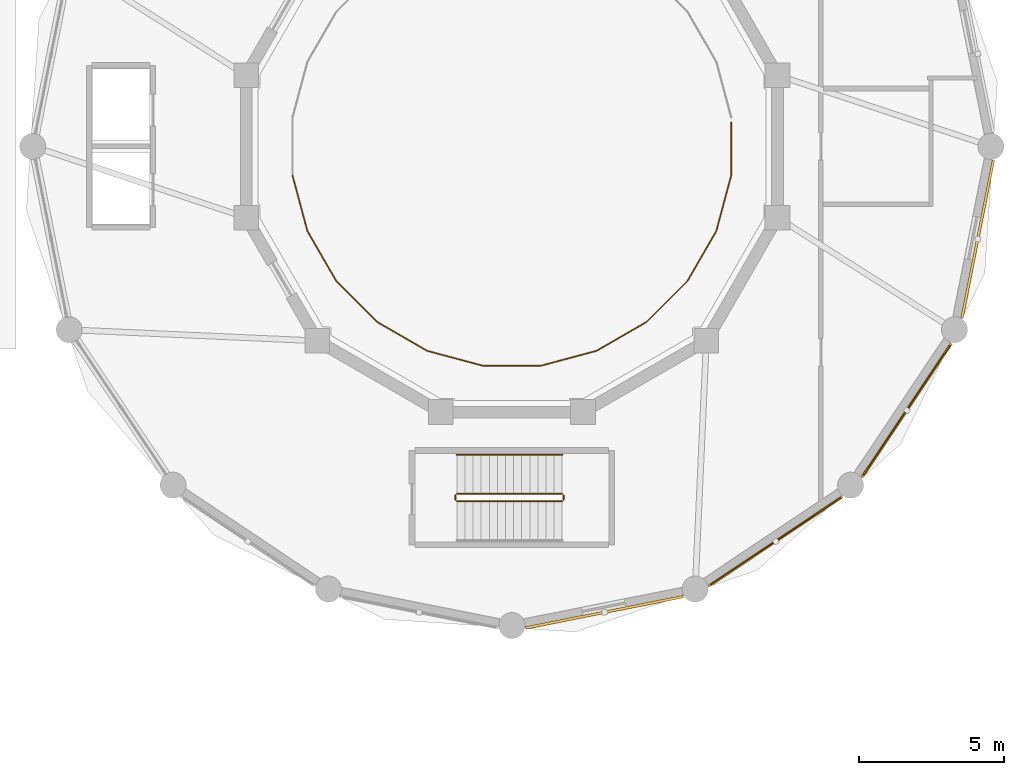
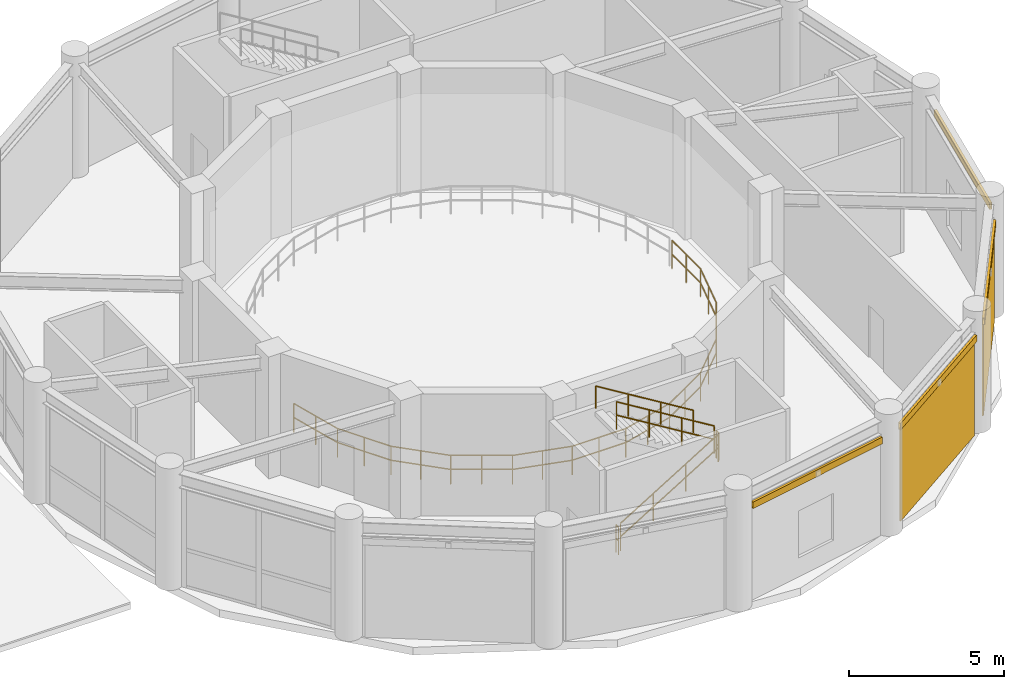
# One storey, part 31 of 34: 6 railings, 4 shading devices, 2 coverings.
"""IFC4 building model written with IfcOpenShell, lengths in metres."""

from ifc_helpers import new_model, si_unit, derived_unit, direction, frame, origin, origin_2d, place, context, subcontext, project, spatial, polyline, hollow_rectangle, circle, outline, extrude, source, transform, mapped, material, layer, layer_set, material_profile, profile_set, type_object, element, save


model = new_model("IFC4")

# Units and contexts
model_context = context("Model", 3, precision=1e-05, world=origin(), true_north=direction((0.0, 1.0)))
body_context = subcontext(model_context, "Body", "Model", "MODEL_VIEW")
ifc_project = project(units=[si_unit("LENGTHUNIT", "METRE"), si_unit("AREAUNIT", "SQUARE_METRE"), si_unit("VOLUMEUNIT", "CUBIC_METRE"), si_unit("PLANEANGLEUNIT", "RADIAN"), si_unit("MASSUNIT", "GRAM", prefix="KILO"), derived_unit("THERMALTRANSMITTANCEUNIT", [(si_unit("POWERUNIT", "WATT"), 1), (si_unit("LENGTHUNIT", "METRE"), -2), (si_unit("THERMODYNAMICTEMPERATUREUNIT", "KELVIN"), -1)])], contexts=[model_context])

# Site, building, storey
site_placement = place(None, origin())
site = spatial("IfcSite", under=ifc_project, at=site_placement, CompositionType="ELEMENT")
building_placement = place(site_placement, origin())
building = spatial("IfcBuilding", under=site, at=building_placement, Name="Korsvarv Bourse and Concert Hall", CompositionType="ELEMENT")
storey_placement = place(building_placement, frame((0.0, 0.0, 14.39990234375)))
storey = spatial("IfcBuildingStorey", under=building, at=storey_placement, Name="L03", CompositionType="ELEMENT", Elevation=14.39990234375)

# Coverings
ifc_material_1 = material(Name="Warm iron-oxide extruded terracotta rainscreen tile", Category="ceramic")
ifc_layer = layer(ifc_material_1, 0.044921875)
ifc_layer_set = layer_set([ifc_layer], Name="Warm iron-oxide extruded terracotta rainscreen tile")
covering_type = type_object("IfcCoveringType", Name="COV-CLD-TC", PredefinedType="CLADDING", material=ifc_layer_set)
covering_1_placement = place(storey_placement, origin())
element("IfcCovering", 1, at=covering_1_placement, inside=storey, type_object=covering_type, Name="L03 fluted terracotta cladding panel EW-L03-CHD14", PredefinedType="CLADDING", context=body_context, shape_type="SweptSolid", body=[
    extrude(outline(polyline([(113.6533203125, 20.894775390625), (118.1328125, 23.887939453125), (118.15771484375, 23.8505859375), (113.67822265625, 20.857421875), (113.6533203125, 20.894775390625)])), origin(), (0.0, 0.0, 1.0), 3.630126953125),
])
covering_2_placement = place(storey_placement, origin())
element("IfcCovering", 2, at=covering_2_placement, inside=storey, type_object=covering_type, Name="L03 fluted terracotta cladding panel EW-L03-CHD15", PredefinedType="CLADDING", context=body_context, shape_type="SweptSolid", body=[
    extrude(outline(polyline([(118.912109375, 24.667236328125), (121.9052734375, 29.146728515625), (121.942626953125, 29.121826171875), (118.949462890625, 24.64208984375), (118.912109375, 24.667236328125)])), origin(), (0.0, 0.0, 1.0), 3.630126953125),
])

# Railings
ifc_material_2 = material(Name="Laminated safety glass and stainless Steel S355 balustrade", Category="steel")
railing_type_1 = type_object("IfcRailingType", Name="RL-BAL-EXT", PredefinedType="BALUSTRADE", material=ifc_material_2)
railing_1_placement = place(storey_placement, frame((99.2216796875, 35.002197265625, 0.0)))
element("IfcRailing", 3, at=railing_1_placement, inside=storey, type_object=railing_type_1, Name="L03 Symphony Auditorium Balcony Guardrail B", PredefinedType="BALUSTRADE", context=body_context, shape_type="SweptSolid", body=[
    extrude(circle(Radius=0.02392578125, at=origin_2d()), frame((0.0, 0.0, 1.1259765625), z_axis=(0.258911409855, -0.965901072495, 0.0), x_axis=(0.965901072495, 0.258911409855, 0.0)), (0.0, 0.0, 1.0), 1.995361328125),
    extrude(circle(Radius=0.02392578125, at=origin_2d()), frame((0.0, 0.0, 0.574951171875), z_axis=(0.258911409855, -0.965901072495, 0.0), x_axis=(0.965901072495, 0.258911409855, 0.0)), (0.0, 0.0, 1.0), 1.995361328125),
    extrude(circle(Radius=0.02392578125, at=origin_2d()), frame((0.5166015625, -1.92724609375, 1.1259765625), z_axis=(0.499955472713, -0.866051110099, 0.0), x_axis=(0.866051110099, 0.499955472713, 0.0)), (0.0, 0.0, 1.0), 1.995361328125),
    extrude(circle(Radius=0.02392578125, at=origin_2d()), frame((0.5166015625, -1.92724609375, 0.574951171875), z_axis=(0.499955472713, -0.866051110099, 0.0), x_axis=(0.866051110099, 0.499955472713, 0.0)), (0.0, 0.0, 1.0), 1.995361328125),
    extrude(circle(Radius=0.02392578125, at=origin_2d()), frame((1.51416015625, -3.6552734375, 1.1259765625), z_axis=(0.707106781187, -0.707106781187, 0.0), x_axis=(0.707106781187, 0.707106781187, 0.0)), (0.0, 0.0, 1.0), 1.99560546875),
    extrude(circle(Radius=0.02392578125, at=origin_2d()), frame((1.51416015625, -3.6552734375, 0.574951171875), z_axis=(0.707106781187, -0.707106781187, 0.0), x_axis=(0.707106781187, 0.707106781187, 0.0)), (0.0, 0.0, 1.0), 1.99560546875),
    extrude(circle(Radius=0.02392578125, at=origin_2d()), frame((2.92529296875, -5.06640625, 1.1259765625), z_axis=(0.866051110099, -0.499955472713, 0.0), x_axis=(0.499955472713, 0.866051110099, 0.0)), (0.0, 0.0, 1.0), 1.995361328125),
    extrude(circle(Radius=0.02392578125, at=origin_2d()), frame((2.92529296875, -5.06640625, 0.574951171875), z_axis=(0.866051110099, -0.499955472713, 0.0), x_axis=(0.499955472713, 0.866051110099, 0.0)), (0.0, 0.0, 1.0), 1.995361328125),
    extrude(circle(Radius=0.02392578125, at=origin_2d()), frame((4.6533203125, -6.06396484375, 1.1259765625), z_axis=(0.965931666572, -0.258797247885, 0.0), x_axis=(0.258797247885, 0.965931666572, 0.0)), (0.0, 0.0, 1.0), 1.9951171875),
    extrude(circle(Radius=0.02392578125, at=origin_2d()), frame((4.6533203125, -6.06396484375, 0.574951171875), z_axis=(0.965931666572, -0.258797247885, 0.0), x_axis=(0.258797247885, 0.965931666572, 0.0)), (0.0, 0.0, 1.0), 1.9951171875),
    extrude(circle(Radius=0.02392578125, at=origin_2d()), frame((6.58056640625, -6.580322265625, 1.1259765625), z_axis=(1.0, 0.0, 0.0), x_axis=(0.0, 1.0, 0.0)), (0.0, 0.0, 1.0), 1.995361328125),
    extrude(circle(Radius=0.02392578125, at=origin_2d()), frame((6.58056640625, -6.580322265625, 0.574951171875), z_axis=(1.0, 0.0, 0.0), x_axis=(0.0, 1.0, 0.0)), (0.0, 0.0, 1.0), 1.995361328125),
    extrude(circle(Radius=0.02392578125, at=origin_2d()), frame((8.575927734375, -6.580322265625, 1.1259765625), z_axis=(0.96593986049, 0.25876666307, 0.0), x_axis=(-0.25876666307, 0.96593986049, 0.0)), (0.0, 0.0, 1.0), 1.995361328125),
    extrude(circle(Radius=0.02392578125, at=origin_2d()), frame((8.575927734375, -6.580322265625, 0.574951171875), z_axis=(0.96593986049, 0.25876666307, 0.0), x_axis=(-0.25876666307, 0.96593986049, 0.0)), (0.0, 0.0, 1.0), 1.995361328125),
    extrude(circle(Radius=0.02392578125, at=origin_2d()), frame((10.50341796875, -6.06396484375, 1.1259765625), z_axis=(0.866051110099, 0.499955472713, 0.0), x_axis=(-0.499955472713, 0.866051110099, 0.0)), (0.0, 0.0, 1.0), 1.995361328125),
    extrude(circle(Radius=0.02392578125, at=origin_2d()), frame((10.50341796875, -6.06396484375, 0.574951171875), z_axis=(0.866051110099, 0.499955472713, 0.0), x_axis=(-0.499955472713, 0.866051110099, 0.0)), (0.0, 0.0, 1.0), 1.995361328125),
    extrude(circle(Radius=0.02392578125, at=origin_2d()), frame((12.2314453125, -5.06640625, 1.1259765625), z_axis=(0.707045604842, 0.707167952239, 0.0), x_axis=(-0.707167952239, 0.707045604842, 0.0)), (0.0, 0.0, 1.0), 1.995361328125),
    extrude(circle(Radius=0.02392578125, at=origin_2d()), frame((12.2314453125, -5.06640625, 0.574951171875), z_axis=(0.707045604842, 0.707167952239, 0.0), x_axis=(-0.707167952239, 0.707045604842, 0.0)), (0.0, 0.0, 1.0), 1.995361328125),
    extrude(circle(Radius=0.02392578125, at=origin_2d()), frame((13.642333984375, -3.6552734375, 1.1259765625), z_axis=(0.500047238366, 0.865998128983, 0.0), x_axis=(-0.865998128983, 0.500047238366, 0.0)), (0.0, 0.0, 1.0), 1.995361328125),
    extrude(circle(Radius=0.02392578125, at=origin_2d()), frame((13.642333984375, -3.6552734375, 0.574951171875), z_axis=(0.500047238366, 0.865998128983, 0.0), x_axis=(-0.865998128983, 0.500047238366, 0.0)), (0.0, 0.0, 1.0), 1.995361328125),
    extrude(circle(Radius=0.02392578125, at=origin_2d()), frame((14.64013671875, -1.92724609375, 1.1259765625), z_axis=(0.258797247885, 0.965931666572, 0.0), x_axis=(-0.965931666572, 0.258797247885, 0.0)), (0.0, 0.0, 1.0), 1.9951171875),
    extrude(circle(Radius=0.02392578125, at=origin_2d()), frame((14.64013671875, -1.92724609375, 0.574951171875), z_axis=(0.258797247885, 0.965931666572, 0.0), x_axis=(-0.965931666572, 0.258797247885, 0.0)), (0.0, 0.0, 1.0), 1.9951171875),
    extrude(circle(Radius=0.02392578125, at=origin_2d()), frame((15.156494140625, 0.0, 1.1259765625), z_axis=(0.0, 1.0, 0.0), x_axis=(-1.0, 0.0, 0.0)), (0.0, 0.0, 1.0), 1.8359375),
    extrude(circle(Radius=0.02392578125, at=origin_2d()), frame((15.156494140625, 0.0, 0.574951171875), z_axis=(0.0, 1.0, 0.0), x_axis=(-1.0, 0.0, 0.0)), (0.0, 0.0, 1.0), 1.8359375),
    extrude(circle(Radius=0.02099609375, at=origin_2d()), origin(), (0.0, 0.0, 1.0), 1.101806640625),
    extrude(circle(Radius=0.02099609375, at=origin_2d()), frame((0.25830078125, -0.963623046875, 0.0)), (0.0, 0.0, 1.0), 1.101806640625),
    extrude(circle(Radius=0.02099609375, at=origin_2d()), frame((0.5166015625, -1.92724609375, 0.0)), (0.0, 0.0, 1.0), 1.101806640625),
    extrude(circle(Radius=0.02099609375, at=origin_2d()), frame((1.015380859375, -2.791259765625, 0.0)), (0.0, 0.0, 1.0), 1.101806640625),
    extrude(circle(Radius=0.02099609375, at=origin_2d()), frame((1.51416015625, -3.6552734375, 0.0)), (0.0, 0.0, 1.0), 1.101806640625),
    extrude(circle(Radius=0.02099609375, at=origin_2d()), frame((2.2197265625, -4.36083984375, 0.0)), (0.0, 0.0, 1.0), 1.101806640625),
    extrude(circle(Radius=0.02099609375, at=origin_2d()), frame((2.92529296875, -5.06640625, 0.0)), (0.0, 0.0, 1.0), 1.101806640625),
    extrude(circle(Radius=0.02099609375, at=origin_2d()), frame((3.789306640625, -5.565185546875, 0.0)), (0.0, 0.0, 1.0), 1.101806640625),
    extrude(circle(Radius=0.02099609375, at=origin_2d()), frame((4.6533203125, -6.06396484375, 0.0)), (0.0, 0.0, 1.0), 1.101806640625),
    extrude(circle(Radius=0.02099609375, at=origin_2d()), frame((5.616943359375, -6.322265625, 0.0)), (0.0, 0.0, 1.0), 1.101806640625),
    extrude(circle(Radius=0.02099609375, at=origin_2d()), frame((6.58056640625, -6.580322265625, 0.0)), (0.0, 0.0, 1.0), 1.101806640625),
    extrude(circle(Radius=0.02099609375, at=origin_2d()), frame((7.578125, -6.580322265625, 0.0)), (0.0, 0.0, 1.0), 1.101806640625),
    extrude(circle(Radius=0.02099609375, at=origin_2d()), frame((8.575927734375, -6.580322265625, 0.0)), (0.0, 0.0, 1.0), 1.101806640625),
    extrude(circle(Radius=0.02099609375, at=origin_2d()), frame((9.53955078125, -6.322265625, 0.0)), (0.0, 0.0, 1.0), 1.101806640625),
    extrude(circle(Radius=0.02099609375, at=origin_2d()), frame((10.50341796875, -6.06396484375, 0.0)), (0.0, 0.0, 1.0), 1.101806640625),
    extrude(circle(Radius=0.02099609375, at=origin_2d()), frame((11.367431640625, -5.565185546875, 0.0)), (0.0, 0.0, 1.0), 1.101806640625),
    extrude(circle(Radius=0.02099609375, at=origin_2d()), frame((12.2314453125, -5.06640625, 0.0)), (0.0, 0.0, 1.0), 1.101806640625),
    extrude(circle(Radius=0.02099609375, at=origin_2d()), frame((12.93701171875, -4.36083984375, 0.0)), (0.0, 0.0, 1.0), 1.101806640625),
    extrude(circle(Radius=0.02099609375, at=origin_2d()), frame((13.642333984375, -3.6552734375, 0.0)), (0.0, 0.0, 1.0), 1.101806640625),
    extrude(circle(Radius=0.02099609375, at=origin_2d()), frame((14.14111328125, -2.791259765625, 0.0)), (0.0, 0.0, 1.0), 1.101806640625),
    extrude(circle(Radius=0.02099609375, at=origin_2d()), frame((14.64013671875, -1.92724609375, 0.0)), (0.0, 0.0, 1.0), 1.101806640625),
    extrude(circle(Radius=0.02099609375, at=origin_2d()), frame((14.8984375, -0.963623046875, 0.0)), (0.0, 0.0, 1.0), 1.101806640625),
    extrude(circle(Radius=0.02099609375, at=origin_2d()), frame((15.156494140625, 0.0, 0.0)), (0.0, 0.0, 1.0), 1.101806640625),
    extrude(circle(Radius=0.02099609375, at=origin_2d()), frame((15.156494140625, 0.91796875, 0.0)), (0.0, 0.0, 1.0), 1.101806640625),
    extrude(circle(Radius=0.02099609375, at=origin_2d()), frame((15.156494140625, 1.8359375, 0.0)), (0.0, 0.0, 1.0), 1.101806640625),
])
ifc_material_3 = material(Name="Painted Steel S355 stair well guardrail", Category="steel")
railing_type_2 = type_object("IfcRailingType", Name="RL-ST-GRD", PredefinedType="GUARDRAIL", material=ifc_material_3)
railing_2_placement = place(storey_placement, frame((104.89990234375, 23.739990234375, 0.171630859375)))
element("IfcRailing", 4, at=railing_2_placement, inside=storey, type_object=railing_type_2, Name="L03 ST-CH2 stair guard 1", PredefinedType="GUARDRAIL", context=body_context, shape_type="SweptSolid", body=[
    extrude(circle(Radius=0.02392578125, at=origin_2d()), frame((0.0, 0.0, 1.076171875), z_axis=(0.852865859571, 0.0, 0.52213008492), x_axis=(0.0, 1.0, 0.0)), (0.0, 0.0, 1.0), 4.26806640625),
    extrude(circle(Radius=0.02392578125, at=origin_2d()), frame((0.0, 0.0, 0.550048828125), z_axis=(0.852865859571, 0.0, 0.52213008492), x_axis=(0.0, 1.0, 0.0)), (0.0, 0.0, 1.0), 4.26806640625),
    extrude(circle(Radius=0.02099609375, at=origin_2d()), origin(), (0.0, 0.0, 1.0), 1.052001953125),
    extrude(circle(Radius=0.02099609375, at=origin_2d()), frame((1.21337890625, 0.0, 0.742919921875)), (0.0, 0.0, 1.0), 1.052001953125),
    extrude(circle(Radius=0.02099609375, at=origin_2d()), frame((2.4267578125, 0.0, 1.485595703125)), (0.0, 0.0, 1.0), 1.052001953125),
    extrude(circle(Radius=0.02099609375, at=origin_2d()), frame((3.64013671875, 0.0, 2.228515625)), (0.0, 0.0, 1.0), 1.052001953125),
])
railing_3_placement = place(storey_placement, frame((108.590087890625, 23.7900390625, 2.400146484375)))
element("IfcRailing", 5, at=railing_3_placement, inside=storey, type_object=railing_type_2, Name="L03 ST-CH2 stair guard 2", PredefinedType="GUARDRAIL", context=body_context, shape_type="SweptSolid", body=[
    extrude(circle(Radius=0.02392578125, at=origin_2d()), frame((0.0, 0.0, 1.076171875), z_axis=(0.0, 1.0, 0.0), x_axis=(-1.0, 0.0, 0.0)), (0.0, 0.0, 1.0), 0.159912109375),
    extrude(circle(Radius=0.02392578125, at=origin_2d()), frame((0.0, 0.0, 0.550048828125), z_axis=(0.0, 1.0, 0.0), x_axis=(-1.0, 0.0, 0.0)), (0.0, 0.0, 1.0), 0.159912109375),
    extrude(circle(Radius=0.02099609375, at=origin_2d()), origin(), (0.0, 0.0, 1.0), 1.052001953125),
    extrude(circle(Radius=0.02099609375, at=origin_2d()), frame((0.0, 0.159912109375, 0.0)), (0.0, 0.0, 1.0), 1.052001953125),
])
railing_4_placement = place(storey_placement, frame((108.5400390625, 24.0, 2.571533203125)))
element("IfcRailing", 6, at=railing_4_placement, inside=storey, type_object=railing_type_2, Name="L03 ST-CH2 stair guard 3", PredefinedType="GUARDRAIL", context=body_context, shape_type="SweptSolid", body=[
    extrude(circle(Radius=0.02392578125, at=origin_2d()), frame((0.0, 0.0, 1.076171875), z_axis=(-0.852865859571, 0.0, 0.52213008492), x_axis=(0.0, -1.0, 0.0)), (0.0, 0.0, 1.0), 4.26806640625),
    extrude(circle(Radius=0.02392578125, at=origin_2d()), frame((0.0, 0.0, 0.550048828125), z_axis=(-0.852865859571, 0.0, 0.52213008492), x_axis=(0.0, -1.0, 0.0)), (0.0, 0.0, 1.0), 4.26806640625),
    extrude(circle(Radius=0.02099609375, at=origin_2d()), origin(), (0.0, 0.0, 1.0), 1.052001953125),
    extrude(circle(Radius=0.02099609375, at=origin_2d()), frame((-1.21337890625, 0.0, 0.742919921875)), (0.0, 0.0, 1.0), 1.052001953125),
    extrude(circle(Radius=0.02099609375, at=origin_2d()), frame((-2.4267578125, 0.0, 1.485595703125)), (0.0, 0.0, 1.0), 1.052001953125),
    extrude(circle(Radius=0.02099609375, at=origin_2d()), frame((-3.64013671875, 0.0, 2.228515625)), (0.0, 0.0, 1.0), 1.052001953125),
])
railing_5_placement = place(storey_placement, frame((104.85009765625, 23.7900390625, 0.0)))
element("IfcRailing", 7, at=railing_5_placement, inside=storey, type_object=railing_type_2, Name="L03 ST-CH2 stair guard 4", PredefinedType="GUARDRAIL", context=body_context, shape_type="SweptSolid", body=[
    extrude(circle(Radius=0.02392578125, at=origin_2d()), frame((0.0, 0.0, 1.076171875), z_axis=(0.0, 1.0, 0.0), x_axis=(-1.0, 0.0, 0.0)), (0.0, 0.0, 1.0), 0.159912109375),
    extrude(circle(Radius=0.02392578125, at=origin_2d()), frame((0.0, 0.0, 0.550048828125), z_axis=(0.0, 1.0, 0.0), x_axis=(-1.0, 0.0, 0.0)), (0.0, 0.0, 1.0), 0.159912109375),
    extrude(circle(Radius=0.02099609375, at=origin_2d()), origin(), (0.0, 0.0, 1.0), 1.052001953125),
    extrude(circle(Radius=0.02099609375, at=origin_2d()), frame((0.0, 0.159912109375, 0.0)), (0.0, 0.0, 1.0), 1.052001953125),
])
ifc_material_4 = material(Name="Brushed stainless Steel S355 tubular handrail", Category="steel")
railing_type_3 = type_object("IfcRailingType", Name="RL-ST-HND", PredefinedType="HANDRAIL", material=ifc_material_4)
railing_6_placement = place(storey_placement, frame((108.5400390625, 25.35009765625, 2.571533203125)))
element("IfcRailing", 8, at=railing_6_placement, inside=storey, type_object=railing_type_3, Name="L03 ST-CH2 stair handrail 2", PredefinedType="HANDRAIL", context=body_context, shape_type="SweptSolid", body=[
    extrude(circle(Radius=0.02392578125, at=origin_2d()), frame((0.0, 0.0, 0.8759765625), z_axis=(-0.852865859571, 0.0, 0.52213008492), x_axis=(0.0, -1.0, 0.0)), (0.0, 0.0, 1.0), 4.26806640625),
    extrude(circle(Radius=0.02099609375, at=origin_2d()), origin(), (0.0, 0.0, 1.0), 0.851806640625),
    extrude(circle(Radius=0.02099609375, at=origin_2d()), frame((-1.21337890625, 0.0, 0.742919921875)), (0.0, 0.0, 1.0), 0.851806640625),
    extrude(circle(Radius=0.02099609375, at=origin_2d()), frame((-2.4267578125, 0.0, 1.485595703125)), (0.0, 0.0, 1.0), 0.851806640625),
    extrude(circle(Radius=0.02099609375, at=origin_2d()), frame((-3.64013671875, 0.0, 2.228515625)), (0.0, 0.0, 1.0), 0.851806640625),
])

# Shading devices
ifc_material_5 = material(Name="Glazed extruded architectural terracotta", Category="ceramic")
ifc_material_profile = material_profile(ifc_material_5, hollow_rectangle(XDim=0.090087890625, YDim=0.260009765625, WallThickness=0.011962890625, at=origin_2d()), Name="TC-BAG 90x260")
ifc_profile_set = profile_set([ifc_material_profile], Name="Glazed extruded architectural terracotta")
shading_device_type = type_object("IfcShadingDeviceType", Name="SHD-BAG-1", PredefinedType="USERDEFINED", material=ifc_profile_set)
shared_shape = source(origin(), body_context, "Body", "SweptSolid", [
    extrude(hollow_rectangle(XDim=0.090087890625, YDim=0.260009765625, WallThickness=0.011962890625, at=origin_2d()), origin(), (0.0, 0.0, 1.0), 5.54736328125),
])
for number, where, z_axis, x_axis, name in (
    (9, (107.280517578125, 19.3671875, 3.7900390625), (0.980783277025, 0.195100393406, 0.0), (-0.195100393406, 0.980783277025, 0.0), "L03 terracotta baguette sunshade EW-L03-CHD13"),
    (10, (113.60888671875, 20.817138671875, 3.7900390625), (0.831467559129, 0.555573305798, 0.0), (-0.555573305798, 0.831467559129, 0.0), "L03 terracotta baguette sunshade EW-L03-CHD14"),
    (11, (118.90087890625, 24.57861328125, 3.7900390625), (0.555573305798, 0.831467559129, 0.0), (-0.831467559129, 0.555573305798, 0.0), "L03 terracotta baguette sunshade EW-L03-CHD15"),
    (12, (122.3505859375, 30.078857421875, 3.7900390625), (0.195100393406, 0.980783277025, 0.0), (-0.980783277025, 0.195100393406, 0.0), "L03 terracotta baguette sunshade EW-L03-CHD16"),
):
    element("IfcShadingDevice", number, at=place(storey_placement, frame(where, z_axis=z_axis, x_axis=x_axis)), inside=storey, type_object=shading_device_type, Name=name, ObjectType="BAGUETTE", PredefinedType="USERDEFINED", context=body_context, shape_type="MappedRepresentation", body=[
        mapped(shared_shape, transform((0.0, 0.0, 0.0), scale=1.0)),
    ])

save(model, "model.ifc")
